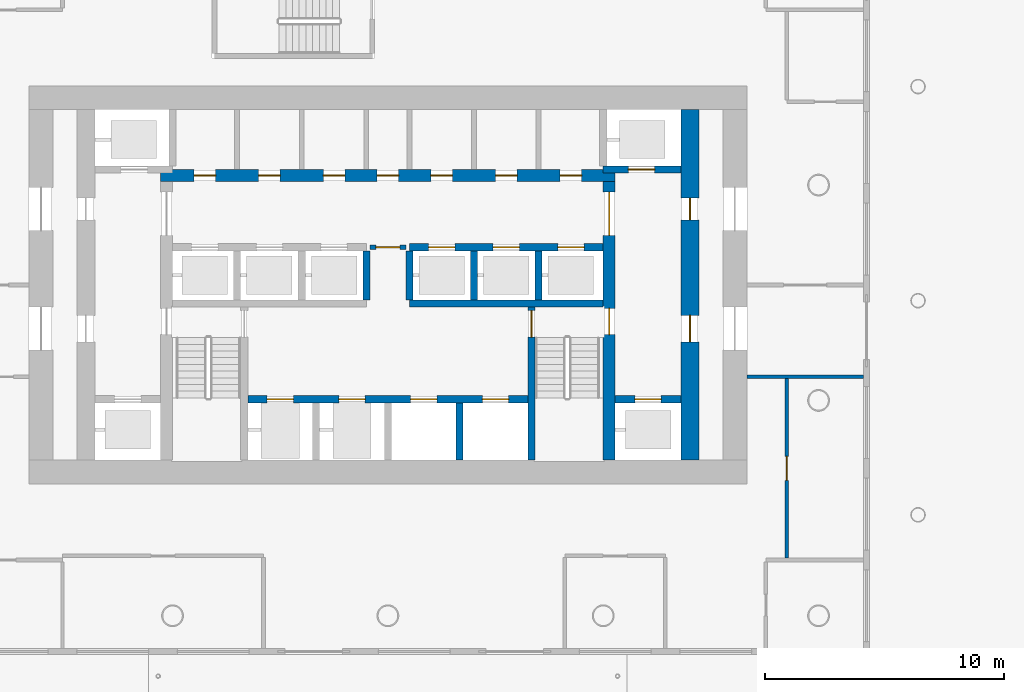
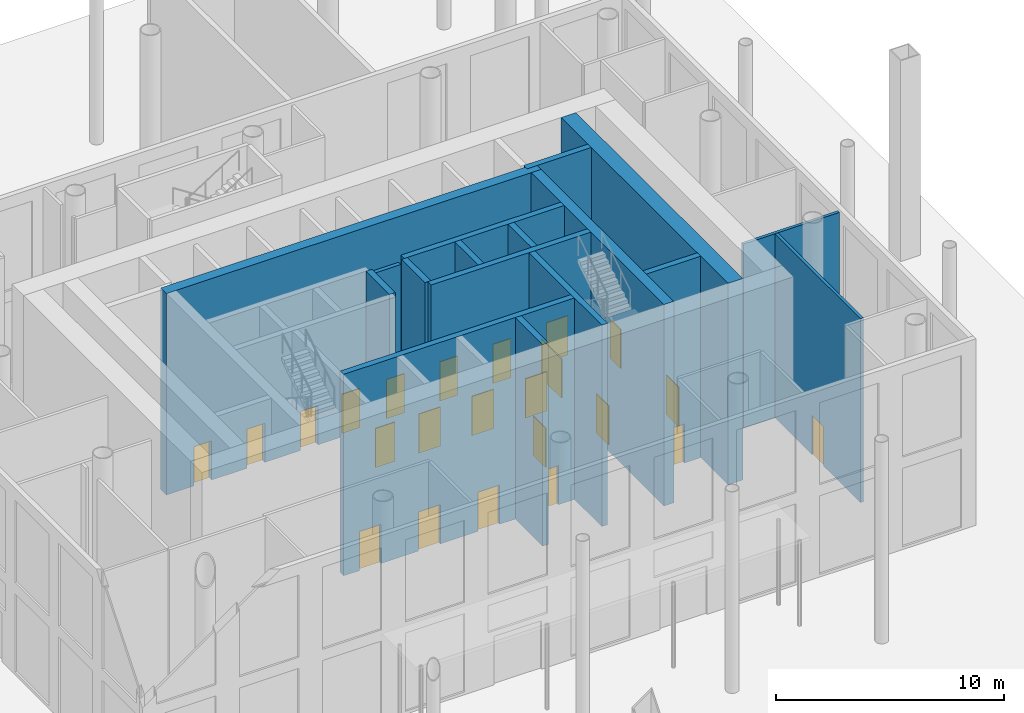
# One storey, part 11 of 18: 23 doors, 17 walls, 23 openings.
"""IFC4 building model written with IfcOpenShell, lengths in metres."""

from ifc_helpers import new_model, si_unit, direction, frame, frame_2d, origin, place, context, subcontext, project, spatial, rectangle, extrude, material, layer, layer_set, type_object, element, fill, save


model = new_model("IFC4")

# Units and contexts
model_context = context("Model", 3, precision=1e-05, world=origin(), true_north=direction((0.0, 1.0)))
body_context = subcontext(model_context, "Body", "Model", "MODEL_VIEW")
ifc_project = project(units=[si_unit("LENGTHUNIT", "METRE"), si_unit("AREAUNIT", "SQUARE_METRE"), si_unit("VOLUMEUNIT", "CUBIC_METRE"), si_unit("PLANEANGLEUNIT", "RADIAN"), si_unit("MASSUNIT", "GRAM", prefix="KILO")], contexts=[model_context])

# Site, building, storey
site_placement = place(None, origin())
site = spatial("IfcSite", under=ifc_project, at=site_placement, CompositionType="ELEMENT")
building_placement = place(site_placement, origin())
building = spatial("IfcBuilding", under=site, at=building_placement, Name="Tskaro Facet Tower", CompositionType="ELEMENT")
storey_placement = place(building_placement, origin())
storey = spatial("IfcBuildingStorey", under=building, at=storey_placement, Name="L00", CompositionType="ELEMENT", Elevation=0.0)

# Wall, openings, doors
ifc_material_1 = material(Name="Concrete C60/75", Category="concrete")
ifc_layer_1 = layer(ifc_material_1, 0.300048828125, Name="Concrete C60/75")
ifc_layer_set_1 = layer_set([ifc_layer_1], Name="Concrete C60/75")
wall_type_1 = type_object("IfcWallType", Name="CORE-SHAFT", PredefinedType="SHEAR", material=ifc_layer_set_1)
wall_1_placement = place(storey_placement, frame((-5.85009765625, -8.949951171875, 0.0), z_axis=(0.0, 0.0, 1.0), x_axis=(1.0, 0.0, 0.0)))
wall_1 = element("IfcWall", 1, at=wall_1_placement, inside=storey, type_object=wall_type_1, Name="Shaft wall W007", PredefinedType="SHEAR", context=body_context, shape_type="SweptSolid", body=[
    extrude(rectangle(XDim=11.7001953125, YDim=0.300048828125, at=frame_2d((5.85009765625, 0.0))), origin(), (0.0, 0.0, 1.0), 10.800048828125),
])
opening_1_placement = place(wall_1_placement, frame((0.800048828125, 0.0, 0.0)))
opening_1 = element("IfcOpeningElement", 2, at=opening_1_placement, cuts=wall_1, Name="Opening LD-FF1", PredefinedType="OPENING", context=body_context, shape_type="SweptSolid", body=[
    extrude(rectangle(XDim=1.10009765625, YDim=2.10009765625, at=frame_2d((0.550048828125, 1.050048828125))), frame((0.0, 0.159912109375, 0.0), z_axis=(0.0, -1.0, 0.0), x_axis=(1.0, 0.0, 0.0)), (0.0, 0.0, 1.0), 0.320068359375),
])
opening_2_placement = place(wall_1_placement, frame((3.800048828125, 0.0, 0.0)))
opening_2 = element("IfcOpeningElement", 3, at=opening_2_placement, cuts=wall_1, Name="Opening LD-FF2", PredefinedType="OPENING", context=body_context, shape_type="SweptSolid", body=[
    extrude(rectangle(XDim=1.10009765625, YDim=2.10009765625, at=frame_2d((0.550048828125, 1.050048828125))), frame((0.0, 0.159912109375, 0.0), z_axis=(0.0, -1.0, 0.0), x_axis=(1.0, 0.0, 0.0)), (0.0, 0.0, 1.0), 0.320068359375),
])
opening_3_placement = place(wall_1_placement, frame((6.800048828125, 0.0, 0.0)))
opening_3 = element("IfcOpeningElement", 4, at=opening_3_placement, cuts=wall_1, Name="Opening LD-SV1", PredefinedType="OPENING", context=body_context, shape_type="SweptSolid", body=[
    extrude(rectangle(XDim=1.10009765625, YDim=2.10009765625, at=frame_2d((0.550048828125, 1.050048828125))), frame((0.0, 0.159912109375, 0.0), z_axis=(0.0, -1.0, 0.0), x_axis=(1.0, 0.0, 0.0)), (0.0, 0.0, 1.0), 0.320068359375),
])
opening_4_placement = place(wall_1_placement, frame((9.800048828125, 0.0, 0.0)))
opening_4 = element("IfcOpeningElement", 5, at=opening_4_placement, cuts=wall_1, Name="Opening LD-SV2", PredefinedType="OPENING", context=body_context, shape_type="SweptSolid", body=[
    extrude(rectangle(XDim=1.10009765625, YDim=2.10009765625, at=frame_2d((0.550048828125, 1.050048828125))), frame((0.0, 0.159912109375, 0.0), z_axis=(0.0, -1.0, 0.0), x_axis=(1.0, 0.0, 0.0)), (0.0, 0.0, 1.0), 0.320068359375),
])
ifc_material_2 = material(Name="Stainless steel", Category="steel")
door_type_1 = type_object("IfcDoorType", Name="D-LANDING", OperationType="NOTDEFINED", PredefinedType="DOOR", material=ifc_material_2)
door_1_placement = place(opening_1_placement, origin())
door_1 = element("IfcDoor", 6, at=door_1_placement, inside=storey, type_object=door_type_1, Name="Landing door FF1", OperationType="DOUBLE_DOOR_SLIDING", OverallHeight=2.10009765625, OverallWidth=1.10009765625, PredefinedType="DOOR", context=body_context, shape_type="SweptSolid", body=[
    extrude(rectangle(XDim=1.10009765625, YDim=2.10009765625, at=frame_2d((0.550048828125, 1.050048828125))), frame((0.0, 0.02490234375, 0.0), z_axis=(0.0, -1.0, 0.0), x_axis=(1.0, 0.0, 0.0)), (0.0, 0.0, 1.0), 0.050048828125),
])
fill(opening_1, door_1)
door_2_placement = place(opening_2_placement, origin())
door_2 = element("IfcDoor", 7, at=door_2_placement, inside=storey, type_object=door_type_1, Name="Landing door FF2", OperationType="DOUBLE_DOOR_SLIDING", OverallHeight=2.10009765625, OverallWidth=1.10009765625, PredefinedType="DOOR", context=body_context, shape_type="SweptSolid", body=[
    extrude(rectangle(XDim=1.10009765625, YDim=2.10009765625, at=frame_2d((0.550048828125, 1.050048828125))), frame((0.0, 0.02490234375, 0.0), z_axis=(0.0, -1.0, 0.0), x_axis=(1.0, 0.0, 0.0)), (0.0, 0.0, 1.0), 0.050048828125),
])
fill(opening_2, door_2)
door_3_placement = place(opening_3_placement, origin())
door_3 = element("IfcDoor", 8, at=door_3_placement, inside=storey, type_object=door_type_1, Name="Landing door SV1", OperationType="DOUBLE_DOOR_SLIDING", OverallHeight=2.10009765625, OverallWidth=1.10009765625, PredefinedType="DOOR", context=body_context, shape_type="SweptSolid", body=[
    extrude(rectangle(XDim=1.10009765625, YDim=2.10009765625, at=frame_2d((0.550048828125, 1.050048828125))), frame((0.0, 0.02490234375, 0.0), z_axis=(0.0, -1.0, 0.0), x_axis=(1.0, 0.0, 0.0)), (0.0, 0.0, 1.0), 0.050048828125),
])
fill(opening_3, door_3)
door_4_placement = place(opening_4_placement, origin())
door_4 = element("IfcDoor", 9, at=door_4_placement, inside=storey, type_object=door_type_1, Name="Landing door SV2", OperationType="DOUBLE_DOOR_SLIDING", OverallHeight=2.10009765625, OverallWidth=1.10009765625, PredefinedType="DOOR", context=body_context, shape_type="SweptSolid", body=[
    extrude(rectangle(XDim=1.10009765625, YDim=2.10009765625, at=frame_2d((0.550048828125, 1.050048828125))), frame((0.0, 0.02490234375, 0.0), z_axis=(0.0, -1.0, 0.0), x_axis=(1.0, 0.0, 0.0)), (0.0, 0.0, 1.0), 0.050048828125),
])
fill(opening_4, door_4)

# Wall, opening, door
wall_2_placement = place(storey_placement, frame((9.5, -8.949951171875, 0.0), z_axis=(0.0, 0.0, 1.0), x_axis=(1.0, 0.0, 0.0)))
wall_2 = element("IfcWall", 10, at=wall_2_placement, inside=storey, type_object=wall_type_1, Name="Shaft wall W008", PredefinedType="SHEAR", context=body_context, shape_type="SweptSolid", body=[
    extrude(rectangle(XDim=2.75, YDim=0.300048828125, at=frame_2d((1.375, 0.0))), origin(), (0.0, 0.0, 1.0), 10.800048828125),
])
opening_5_placement = place(wall_2_placement, frame((0.824951171875, 0.0, 0.0)))
opening_5 = element("IfcOpeningElement", 11, at=opening_5_placement, cuts=wall_2, Name="Opening LD-SHES", PredefinedType="OPENING", context=body_context, shape_type="SweptSolid", body=[
    extrude(rectangle(XDim=1.10009765625, YDim=2.10009765625, at=frame_2d((0.550048828125, 1.050048828125))), frame((0.0, 0.159912109375, 0.0), z_axis=(0.0, -1.0, 0.0), x_axis=(1.0, 0.0, 0.0)), (0.0, 0.0, 1.0), 0.320068359375),
])
door_5_placement = place(opening_5_placement, origin())
door_5 = element("IfcDoor", 12, at=door_5_placement, inside=storey, type_object=door_type_1, Name="Landing door shuttle E1", OperationType="DOUBLE_DOOR_SLIDING", OverallHeight=2.10009765625, OverallWidth=1.10009765625, PredefinedType="DOOR", context=body_context, shape_type="SweptSolid", body=[
    extrude(rectangle(XDim=1.10009765625, YDim=2.10009765625, at=frame_2d((0.550048828125, 1.050048828125))), frame((0.0, 0.02490234375, 0.0), z_axis=(0.0, -1.0, 0.0), x_axis=(1.0, 0.0, 0.0)), (0.0, 0.0, 1.0), 0.050048828125),
])
fill(opening_5, door_5)

# Wall
wall_3_placement = place(storey_placement, frame((0.89990234375, -4.949951171875, 0.0), z_axis=(0.0, 0.0, 1.0), x_axis=(1.0, 0.0, 0.0)))
element("IfcWall", 13, at=wall_3_placement, inside=storey, type_object=wall_type_1, Name="Shaft wall W012", PredefinedType="SHEAR", context=body_context, shape_type="SweptSolid", body=[
    extrude(rectangle(XDim=8.10009765625, YDim=0.300048828125, at=frame_2d((4.050048828125, 0.0))), origin(), (0.0, 0.0, 1.0), 10.800048828125),
])

# Wall, openings, doors
wall_4_placement = place(storey_placement, frame((0.89990234375, -2.60009765625, 0.0), z_axis=(0.0, 0.0, 1.0), x_axis=(1.0, 0.0, 0.0)))
wall_4 = element("IfcWall", 14, at=wall_4_placement, inside=storey, type_object=wall_type_1, Name="Shaft wall W017", PredefinedType="SHEAR", context=body_context, shape_type="SweptSolid", body=[
    extrude(rectangle(XDim=8.10009765625, YDim=0.300048828125, at=frame_2d((4.050048828125, 0.0))), origin(), (0.0, 0.0, 1.0), 10.800048828125),
])
opening_6_placement = place(wall_4_placement, frame((0.800048828125, 0.0, 0.0)))
opening_6 = element("IfcOpeningElement", 15, at=opening_6_placement, cuts=wall_4, Name="Opening LD-LR4", PredefinedType="OPENING", context=body_context, shape_type="SweptSolid", body=[
    extrude(rectangle(XDim=1.10009765625, YDim=2.10009765625, at=frame_2d((0.550048828125, 1.050048828125))), frame((0.0, 0.159912109375, 0.0), z_axis=(0.0, -1.0, 0.0), x_axis=(1.0, 0.0, 0.0)), (0.0, 0.0, 1.0), 0.320068359375),
])
opening_7_placement = place(wall_4_placement, frame((3.5, 0.0, 0.0)))
opening_7 = element("IfcOpeningElement", 16, at=opening_7_placement, cuts=wall_4, Name="Opening LD-LR5", PredefinedType="OPENING", context=body_context, shape_type="SweptSolid", body=[
    extrude(rectangle(XDim=1.10009765625, YDim=2.10009765625, at=frame_2d((0.550048828125, 1.050048828125))), frame((0.0, 0.159912109375, 0.0), z_axis=(0.0, -1.0, 0.0), x_axis=(1.0, 0.0, 0.0)), (0.0, 0.0, 1.0), 0.320068359375),
])
opening_8_placement = place(wall_4_placement, frame((6.199951171875, 0.0, 0.0)))
opening_8 = element("IfcOpeningElement", 17, at=opening_8_placement, cuts=wall_4, Name="Opening LD-LR6", PredefinedType="OPENING", context=body_context, shape_type="SweptSolid", body=[
    extrude(rectangle(XDim=1.10009765625, YDim=2.10009765625, at=frame_2d((0.550048828125, 1.050048828125))), frame((0.0, 0.159912109375, 0.0), z_axis=(0.0, -1.0, 0.0), x_axis=(1.0, 0.0, 0.0)), (0.0, 0.0, 1.0), 0.320068359375),
])
door_6_placement = place(opening_6_placement, origin())
door_6 = element("IfcDoor", 18, at=door_6_placement, inside=storey, type_object=door_type_1, Name="Landing door LR4", OperationType="DOUBLE_DOOR_SLIDING", OverallHeight=2.10009765625, OverallWidth=1.10009765625, PredefinedType="DOOR", context=body_context, shape_type="SweptSolid", body=[
    extrude(rectangle(XDim=1.10009765625, YDim=2.10009765625, at=frame_2d((0.550048828125, 1.050048828125))), frame((0.0, 0.02490234375, 0.0), z_axis=(0.0, -1.0, 0.0), x_axis=(1.0, 0.0, 0.0)), (0.0, 0.0, 1.0), 0.050048828125),
])
fill(opening_6, door_6)
door_7_placement = place(opening_7_placement, origin())
door_7 = element("IfcDoor", 19, at=door_7_placement, inside=storey, type_object=door_type_1, Name="Landing door LR5", OperationType="DOUBLE_DOOR_SLIDING", OverallHeight=2.10009765625, OverallWidth=1.10009765625, PredefinedType="DOOR", context=body_context, shape_type="SweptSolid", body=[
    extrude(rectangle(XDim=1.10009765625, YDim=2.10009765625, at=frame_2d((0.550048828125, 1.050048828125))), frame((0.0, 0.02490234375, 0.0), z_axis=(0.0, -1.0, 0.0), x_axis=(1.0, 0.0, 0.0)), (0.0, 0.0, 1.0), 0.050048828125),
])
fill(opening_7, door_7)
door_8_placement = place(opening_8_placement, origin())
door_8 = element("IfcDoor", 20, at=door_8_placement, inside=storey, type_object=door_type_1, Name="Landing door LR6", OperationType="DOUBLE_DOOR_SLIDING", OverallHeight=2.10009765625, OverallWidth=1.10009765625, PredefinedType="DOOR", context=body_context, shape_type="SweptSolid", body=[
    extrude(rectangle(XDim=1.10009765625, YDim=2.10009765625, at=frame_2d((0.550048828125, 1.050048828125))), frame((0.0, 0.02490234375, 0.0), z_axis=(0.0, -1.0, 0.0), x_axis=(1.0, 0.0, 0.0)), (0.0, 0.0, 1.0), 0.050048828125),
])
fill(opening_8, door_8)

# Wall, opening, door
wall_5_placement = place(storey_placement, frame((12.25, 0.64990234375, 0.0), z_axis=(0.0, 0.0, 1.0), x_axis=(-1.0, 0.0, 0.0)))
wall_5 = element("IfcWall", 21, at=wall_5_placement, inside=storey, type_object=wall_type_1, Name="Shaft wall W020", PredefinedType="SHEAR", context=body_context, shape_type="SweptSolid", body=[
    extrude(rectangle(XDim=3.25, YDim=0.300048828125, at=frame_2d((1.625, 0.0))), origin(), (0.0, 0.0, 1.0), 10.800048828125),
])
opening_9_placement = place(wall_5_placement, frame((1.10009765625, 0.0, 0.0)))
opening_9 = element("IfcOpeningElement", 22, at=opening_9_placement, cuts=wall_5, Name="Opening LD-SHEN", PredefinedType="OPENING", context=body_context, shape_type="SweptSolid", body=[
    extrude(rectangle(XDim=1.10009765625, YDim=2.10009765625, at=frame_2d((0.550048828125, 1.050048828125))), frame((0.0, 0.159912109375, 0.0), z_axis=(0.0, -1.0, 0.0), x_axis=(1.0, 0.0, 0.0)), (0.0, 0.0, 1.0), 0.320068359375),
])
door_9_placement = place(opening_9_placement, origin())
door_9 = element("IfcDoor", 23, at=door_9_placement, inside=storey, type_object=door_type_1, Name="Landing door shuttle E2", OperationType="DOUBLE_DOOR_SLIDING", OverallHeight=2.10009765625, OverallWidth=1.10009765625, PredefinedType="DOOR", context=body_context, shape_type="SweptSolid", body=[
    extrude(rectangle(XDim=1.10009765625, YDim=2.10009765625, at=frame_2d((0.550048828125, 1.050048828125))), frame((0.0, 0.02490234375, 0.0), z_axis=(0.0, -1.0, 0.0), x_axis=(1.0, 0.0, 0.0)), (0.0, 0.0, 1.0), 0.050048828125),
])
fill(opening_9, door_9)

# Walls
for number, where, z_axis, x_axis, name in (
    (24, (-0.89990234375, -4.800048828125, 0.0), (0.0, 0.0, 1.0), (0.0, 1.0, 0.0), "Shaft wall W046"),
    (25, (0.89990234375, -4.800048828125, 0.0), (0.0, 0.0, 1.0), (0.0, 1.0, 0.0), "Shaft wall W050"),
):
    element("IfcWall", number, at=place(storey_placement, frame(where, z_axis=z_axis, x_axis=x_axis)), inside=storey, type_object=wall_type_1, Name=name, PredefinedType="SHEAR", context=body_context, shape_type="SweptSolid", body=[
        extrude(rectangle(XDim=2.050048828125, YDim=0.300048828125, at=frame_2d((1.02490234375, 0.0))), origin(), (0.0, 0.0, 1.0), 10.800048828125),
    ])
wall_6_placement = place(storey_placement, frame((3.0, -11.5, 0.0), z_axis=(0.0, 0.0, 1.0), x_axis=(0.0, 1.0, 0.0)))
element("IfcWall", 26, at=wall_6_placement, inside=storey, type_object=wall_type_1, Name="Shaft wall W052", PredefinedType="SHEAR", context=body_context, shape_type="SweptSolid", body=[
    extrude(rectangle(XDim=2.39990234375, YDim=0.300048828125, at=frame_2d((1.199951171875, 0.0))), origin(), (0.0, 0.0, 1.0), 10.800048828125),
])
wall_7_placement = place(storey_placement, frame((3.60009765625, -4.800048828125, 0.0), z_axis=(0.0, 0.0, 1.0), x_axis=(0.0, 1.0, 0.0)))
element("IfcWall", 27, at=wall_7_placement, inside=storey, type_object=wall_type_1, Name="Shaft wall W054", PredefinedType="SHEAR", context=body_context, shape_type="SweptSolid", body=[
    extrude(rectangle(XDim=2.050048828125, YDim=0.300048828125, at=frame_2d((1.02490234375, 0.0))), origin(), (0.0, 0.0, 1.0), 10.800048828125),
])

# Wall, opening, door
wall_8_placement = place(storey_placement, frame((6.0, -5.10009765625, 0.0), z_axis=(0.0, 0.0, 1.0), x_axis=(0.0, -1.0, 0.0)))
wall_8 = element("IfcWall", 28, at=wall_8_placement, inside=storey, type_object=wall_type_1, Name="Shaft wall W056", PredefinedType="SHEAR", context=body_context, shape_type="SweptSolid", body=[
    extrude(rectangle(XDim=6.39990234375, YDim=0.300048828125, at=frame_2d((3.199951171875, 0.0))), origin(), (0.0, 0.0, 1.0), 10.800048828125),
])
opening_10_placement = place(wall_8_placement, frame((0.14990234375, 0.0, 0.0)))
opening_10 = element("IfcOpeningElement", 29, at=opening_10_placement, cuts=wall_8, Name="Opening ST-2-D1", PredefinedType="OPENING", context=body_context, shape_type="SweptSolid", body=[
    extrude(rectangle(XDim=1.10009765625, YDim=2.10009765625, at=frame_2d((0.550048828125, 1.050048828125))), frame((0.0, 0.159912109375, 0.0), z_axis=(0.0, -1.0, 0.0), x_axis=(1.0, 0.0, 0.0)), (0.0, 0.0, 1.0), 0.320068359375),
])
ifc_material_3 = material(Name="Steel", Category="steel")
door_type_2 = type_object("IfcDoorType", Name="D-STAIR", OperationType="NOTDEFINED", PredefinedType="DOOR", material=ifc_material_3)
door_10_placement = place(opening_10_placement, origin())
door_10 = element("IfcDoor", 30, at=door_10_placement, inside=storey, type_object=door_type_2, Name="Stair door 2", OperationType="SINGLE_SWING_RIGHT", OverallHeight=2.10009765625, OverallWidth=1.10009765625, PredefinedType="DOOR", context=body_context, shape_type="SweptSolid", body=[
    extrude(rectangle(XDim=1.10009765625, YDim=2.10009765625, at=frame_2d((0.550048828125, 1.050048828125))), frame((0.0, 0.02490234375, 0.0), z_axis=(0.0, -1.0, 0.0), x_axis=(1.0, 0.0, 0.0)), (0.0, 0.0, 1.0), 0.050048828125),
])
fill(opening_10, door_10)

# Wall
wall_9_placement = place(storey_placement, frame((6.300048828125, -4.800048828125, 0.0), z_axis=(0.0, 0.0, 1.0), x_axis=(0.0, 1.0, 0.0)))
element("IfcWall", 31, at=wall_9_placement, inside=storey, type_object=wall_type_1, Name="Shaft wall W057", PredefinedType="SHEAR", context=body_context, shape_type="SweptSolid", body=[
    extrude(rectangle(XDim=2.050048828125, YDim=0.300048828125, at=frame_2d((1.02490234375, 0.0))), origin(), (0.0, 0.0, 1.0), 10.800048828125),
])

# Wall, opening, door
ifc_material_4 = material(Name="Concrete C20/25", Category="concrete")
ifc_layer_2 = layer(ifc_material_4, 0.199951171875, Name="Concrete C20/25")
ifc_layer_set_2 = layer_set([ifc_layer_2], Name="Concrete C20/25")
wall_type_2 = type_object("IfcWallType", Name="CORE-WALL", PredefinedType="SOLIDWALL", material=ifc_layer_set_2)
wall_10_placement = place(storey_placement, frame((0.75, -2.60009765625, 0.0), z_axis=(0.0, 0.0, 1.0), x_axis=(-1.0, 0.0, 0.0)))
wall_10 = element("IfcWall", 32, at=wall_10_placement, inside=storey, type_object=wall_type_2, Name="Core room wall W016", PredefinedType="SOLIDWALL", context=body_context, shape_type="SweptSolid", body=[
    extrude(rectangle(XDim=1.5, YDim=0.199951171875, at=frame_2d((0.75, 0.0))), origin(), (0.0, 0.0, 1.0), 10.5),
])
opening_11_placement = place(wall_10_placement, frame((0.25, 0.0, 0.0)))
opening_11 = element("IfcOpeningElement", 33, at=opening_11_placement, cuts=wall_10, Name="Opening FL-D1", PredefinedType="OPENING", context=body_context, shape_type="SweptSolid", body=[
    extrude(rectangle(XDim=1.0, YDim=2.10009765625, at=frame_2d((0.5, 1.050048828125))), frame((0.0, 0.10986328125, 0.0), z_axis=(0.0, -1.0, 0.0), x_axis=(1.0, 0.0, 0.0)), (0.0, 0.0, 1.0), 0.219970703125),
])
door_type_3 = type_object("IfcDoorType", Name="D-LOBBY", OperationType="NOTDEFINED", PredefinedType="DOOR", material=ifc_material_3)
door_11_placement = place(opening_11_placement, origin())
door_11 = element("IfcDoor", 34, at=door_11_placement, inside=storey, type_object=door_type_3, Name="Lobby door FL", OperationType="SINGLE_SWING_RIGHT", OverallHeight=2.10009765625, OverallWidth=1.0, PredefinedType="DOOR", context=body_context, shape_type="SweptSolid", body=[
    extrude(rectangle(XDim=1.0, YDim=2.10009765625, at=frame_2d((0.5, 1.050048828125))), frame((0.0, 0.02490234375, 0.0), z_axis=(0.0, -1.0, 0.0), x_axis=(1.0, 0.0, 0.0)), (0.0, 0.0, 1.0), 0.050048828125),
])
fill(opening_11, door_11)

# Wall, openings, doors
ifc_material_5 = material(Name="Concrete C40/50", Category="concrete")
ifc_layer_3 = layer(ifc_material_5, 0.5, Name="Concrete C40/50")
ifc_layer_set_3 = layer_set([ifc_layer_3], Name="Concrete C40/50")
wall_type_3 = type_object("IfcWallType", Name="Core wall 500", PredefinedType="SHEAR", material=ifc_layer_set_3)
wall_11_placement = place(storey_placement, frame((-9.5, 0.39990234375, 0.0), z_axis=(0.0, 0.0, 1.0), x_axis=(1.0, 0.0, 0.0)))
wall_11 = element("IfcWall", 35, at=wall_11_placement, inside=storey, type_object=wall_type_3, Name="Core wall CW-Z3N", PredefinedType="SHEAR", context=body_context, shape_type="SweptSolid", body=[
    extrude(rectangle(XDim=19.0, YDim=0.5, at=frame_2d((9.5, 0.0))), origin(), (0.0, 0.0, 1.0), 10.800048828125),
])
opening_12_placement = place(wall_11_placement, frame((1.39990234375, 0.0, 0.0)))
opening_12 = element("IfcOpeningElement", 36, at=opening_12_placement, cuts=wall_11, Name="Opening G-D14", PredefinedType="OPENING", context=body_context, shape_type="SweptSolid", body=[
    extrude(rectangle(XDim=0.89990234375, YDim=2.10009765625, at=frame_2d((0.449951171875, 1.050048828125))), frame((0.0, 0.260009765625, 0.0), z_axis=(0.0, -1.0, 0.0), x_axis=(1.0, 0.0, 0.0)), (0.0, 0.0, 1.0), 0.52001953125),
])
opening_13_placement = place(wall_11_placement, frame((4.10009765625, 0.0, 0.0)))
opening_13 = element("IfcOpeningElement", 37, at=opening_13_placement, cuts=wall_11, Name="Opening G-D15", PredefinedType="OPENING", context=body_context, shape_type="SweptSolid", body=[
    extrude(rectangle(XDim=0.89990234375, YDim=2.10009765625, at=frame_2d((0.449951171875, 1.050048828125))), frame((0.0, 0.260009765625, 0.0), z_axis=(0.0, -1.0, 0.0), x_axis=(1.0, 0.0, 0.0)), (0.0, 0.0, 1.0), 0.52001953125),
])
opening_14_placement = place(wall_11_placement, frame((6.800048828125, 0.0, 0.0)))
opening_14 = element("IfcOpeningElement", 38, at=opening_14_placement, cuts=wall_11, Name="Opening G-D16", PredefinedType="OPENING", context=body_context, shape_type="SweptSolid", body=[
    extrude(rectangle(XDim=0.89990234375, YDim=2.10009765625, at=frame_2d((0.449951171875, 1.050048828125))), frame((0.0, 0.260009765625, 0.0), z_axis=(0.0, -1.0, 0.0), x_axis=(1.0, 0.0, 0.0)), (0.0, 0.0, 1.0), 0.52001953125),
])
opening_15_placement = place(wall_11_placement, frame((11.300048828125, 0.0, 0.0)))
opening_15 = element("IfcOpeningElement", 39, at=opening_15_placement, cuts=wall_11, Name="Opening G-D18", PredefinedType="OPENING", context=body_context, shape_type="SweptSolid", body=[
    extrude(rectangle(XDim=0.89990234375, YDim=2.10009765625, at=frame_2d((0.449951171875, 1.050048828125))), frame((0.0, 0.260009765625, 0.0), z_axis=(0.0, -1.0, 0.0), x_axis=(1.0, 0.0, 0.0)), (0.0, 0.0, 1.0), 0.52001953125),
])
opening_16_placement = place(wall_11_placement, frame((14.0, 0.0, 0.0)))
opening_16 = element("IfcOpeningElement", 40, at=opening_16_placement, cuts=wall_11, Name="Opening G-D19", PredefinedType="OPENING", context=body_context, shape_type="SweptSolid", body=[
    extrude(rectangle(XDim=0.89990234375, YDim=2.10009765625, at=frame_2d((0.449951171875, 1.050048828125))), frame((0.0, 0.260009765625, 0.0), z_axis=(0.0, -1.0, 0.0), x_axis=(1.0, 0.0, 0.0)), (0.0, 0.0, 1.0), 0.52001953125),
])
opening_17_placement = place(wall_11_placement, frame((16.699951171875, 0.0, 0.0)))
opening_17 = element("IfcOpeningElement", 41, at=opening_17_placement, cuts=wall_11, Name="Opening G-D20", PredefinedType="OPENING", context=body_context, shape_type="SweptSolid", body=[
    extrude(rectangle(XDim=0.89990234375, YDim=2.10009765625, at=frame_2d((0.449951171875, 1.050048828125))), frame((0.0, 0.260009765625, 0.0), z_axis=(0.0, -1.0, 0.0), x_axis=(1.0, 0.0, 0.0)), (0.0, 0.0, 1.0), 0.52001953125),
])
opening_18_placement = place(wall_11_placement, frame((9.050048828125, 0.0, 0.0)))
opening_18 = element("IfcOpeningElement", 42, at=opening_18_placement, cuts=wall_11, Name="Opening G-D17", PredefinedType="OPENING", context=body_context, shape_type="SweptSolid", body=[
    extrude(rectangle(XDim=0.89990234375, YDim=2.10009765625, at=frame_2d((0.449951171875, 1.050048828125))), frame((0.0, 0.260009765625, 0.0), z_axis=(0.0, -1.0, 0.0), x_axis=(1.0, 0.0, 0.0)), (0.0, 0.0, 1.0), 0.52001953125),
])
door_type_4 = type_object("IfcDoorType", Name="D-RISER", OperationType="NOTDEFINED", PredefinedType="DOOR", material=ifc_material_3)
door_12_placement = place(opening_18_placement, origin())
door_12 = element("IfcDoor", 43, at=door_12_placement, inside=storey, type_object=door_type_4, Name="Door G-D17", OperationType="SINGLE_SWING_LEFT", OverallHeight=2.10009765625, OverallWidth=0.89990234375, PredefinedType="DOOR", context=body_context, shape_type="SweptSolid", body=[
    extrude(rectangle(XDim=0.89990234375, YDim=2.10009765625, at=frame_2d((0.449951171875, 1.050048828125))), frame((0.0, 0.02490234375, 0.0), z_axis=(0.0, -1.0, 0.0), x_axis=(1.0, 0.0, 0.0)), (0.0, 0.0, 1.0), 0.050048828125),
])
fill(opening_18, door_12)
ifc_material_6 = material(Name="Timber", Category="wood")
door_type_5 = type_object("IfcDoorType", Name="D-ROOM", OperationType="NOTDEFINED", PredefinedType="DOOR", material=ifc_material_6)
door_13_placement = place(opening_12_placement, origin())
door_13 = element("IfcDoor", 44, at=door_13_placement, inside=storey, type_object=door_type_5, Name="Door G-D14", OperationType="SINGLE_SWING_LEFT", OverallHeight=2.10009765625, OverallWidth=0.89990234375, PredefinedType="DOOR", context=body_context, shape_type="SweptSolid", body=[
    extrude(rectangle(XDim=0.89990234375, YDim=2.10009765625, at=frame_2d((0.449951171875, 1.050048828125))), frame((0.0, 0.02490234375, 0.0), z_axis=(0.0, -1.0, 0.0), x_axis=(1.0, 0.0, 0.0)), (0.0, 0.0, 1.0), 0.050048828125),
])
fill(opening_12, door_13)
door_14_placement = place(opening_13_placement, origin())
door_14 = element("IfcDoor", 45, at=door_14_placement, inside=storey, type_object=door_type_5, Name="Door G-D15", OperationType="SINGLE_SWING_LEFT", OverallHeight=2.10009765625, OverallWidth=0.89990234375, PredefinedType="DOOR", context=body_context, shape_type="SweptSolid", body=[
    extrude(rectangle(XDim=0.89990234375, YDim=2.10009765625, at=frame_2d((0.449951171875, 1.050048828125))), frame((0.0, 0.02490234375, 0.0), z_axis=(0.0, -1.0, 0.0), x_axis=(1.0, 0.0, 0.0)), (0.0, 0.0, 1.0), 0.050048828125),
])
fill(opening_13, door_14)
door_15_placement = place(opening_14_placement, origin())
door_15 = element("IfcDoor", 46, at=door_15_placement, inside=storey, type_object=door_type_5, Name="Door G-D16", OperationType="SINGLE_SWING_LEFT", OverallHeight=2.10009765625, OverallWidth=0.89990234375, PredefinedType="DOOR", context=body_context, shape_type="SweptSolid", body=[
    extrude(rectangle(XDim=0.89990234375, YDim=2.10009765625, at=frame_2d((0.449951171875, 1.050048828125))), frame((0.0, 0.02490234375, 0.0), z_axis=(0.0, -1.0, 0.0), x_axis=(1.0, 0.0, 0.0)), (0.0, 0.0, 1.0), 0.050048828125),
])
fill(opening_14, door_15)
door_16_placement = place(opening_15_placement, origin())
door_16 = element("IfcDoor", 47, at=door_16_placement, inside=storey, type_object=door_type_5, Name="Door G-D18", OperationType="SINGLE_SWING_LEFT", OverallHeight=2.10009765625, OverallWidth=0.89990234375, PredefinedType="DOOR", context=body_context, shape_type="SweptSolid", body=[
    extrude(rectangle(XDim=0.89990234375, YDim=2.10009765625, at=frame_2d((0.449951171875, 1.050048828125))), frame((0.0, 0.02490234375, 0.0), z_axis=(0.0, -1.0, 0.0), x_axis=(1.0, 0.0, 0.0)), (0.0, 0.0, 1.0), 0.050048828125),
])
fill(opening_15, door_16)
door_17_placement = place(opening_16_placement, origin())
door_17 = element("IfcDoor", 48, at=door_17_placement, inside=storey, type_object=door_type_5, Name="Door G-D19", OperationType="SINGLE_SWING_LEFT", OverallHeight=2.10009765625, OverallWidth=0.89990234375, PredefinedType="DOOR", context=body_context, shape_type="SweptSolid", body=[
    extrude(rectangle(XDim=0.89990234375, YDim=2.10009765625, at=frame_2d((0.449951171875, 1.050048828125))), frame((0.0, 0.02490234375, 0.0), z_axis=(0.0, -1.0, 0.0), x_axis=(1.0, 0.0, 0.0)), (0.0, 0.0, 1.0), 0.050048828125),
])
fill(opening_16, door_17)
door_18_placement = place(opening_17_placement, origin())
door_18 = element("IfcDoor", 49, at=door_18_placement, inside=storey, type_object=door_type_5, Name="Door G-D20", OperationType="SINGLE_SWING_LEFT", OverallHeight=2.10009765625, OverallWidth=0.89990234375, PredefinedType="DOOR", context=body_context, shape_type="SweptSolid", body=[
    extrude(rectangle(XDim=0.89990234375, YDim=2.10009765625, at=frame_2d((0.449951171875, 1.050048828125))), frame((0.0, 0.02490234375, 0.0), z_axis=(0.0, -1.0, 0.0), x_axis=(1.0, 0.0, 0.0)), (0.0, 0.0, 1.0), 0.050048828125),
])
fill(opening_17, door_18)

wall_12_placement = place(storey_placement, frame((9.25, -11.5, 0.0), z_axis=(0.0, 0.0, 1.0), x_axis=(0.0, 1.0, 0.0)))
wall_12 = element("IfcWall", 50, at=wall_12_placement, inside=storey, type_object=wall_type_3, Name="Core wall CW-Z3E", PredefinedType="SHEAR", context=body_context, shape_type="SweptSolid", body=[
    extrude(rectangle(XDim=11.64990234375, YDim=0.5, at=frame_2d((5.824951171875, 0.0))), origin(), (0.0, 0.0, 1.0), 10.800048828125),
])
opening_19_placement = place(wall_12_placement, frame((9.39990234375, 0.0, 0.0)))
opening_19 = element("IfcOpeningElement", 51, at=opening_19_placement, cuts=wall_12, Name="Opening G-D09", PredefinedType="OPENING", context=body_context, shape_type="SweptSolid", body=[
    extrude(rectangle(XDim=1.800048828125, YDim=2.10009765625, at=frame_2d((0.89990234375, 1.050048828125))), frame((0.0, 0.260009765625, 0.0), z_axis=(0.0, -1.0, 0.0), x_axis=(1.0, 0.0, 0.0)), (0.0, 0.0, 1.0), 0.52001953125),
])
opening_20_placement = place(wall_12_placement, frame((5.25, 0.0, 0.0)))
opening_20 = element("IfcOpeningElement", 52, at=opening_20_placement, cuts=wall_12, Name="Opening ST-2-D2", PredefinedType="OPENING", context=body_context, shape_type="SweptSolid", body=[
    extrude(rectangle(XDim=1.10009765625, YDim=2.10009765625, at=frame_2d((0.550048828125, 1.050048828125))), frame((0.0, 0.260009765625, 0.0), z_axis=(0.0, -1.0, 0.0), x_axis=(1.0, 0.0, 0.0)), (0.0, 0.0, 1.0), 0.52001953125),
])
door_type_6 = type_object("IfcDoorType", Name="D-CORE-PAIR", OperationType="NOTDEFINED", PredefinedType="DOOR", material=ifc_material_3)
door_19_placement = place(opening_19_placement, origin())
door_19 = element("IfcDoor", 53, at=door_19_placement, inside=storey, type_object=door_type_6, Name="Door G-D09", OperationType="DOUBLE_DOOR_SINGLE_SWING", OverallHeight=2.10009765625, OverallWidth=1.800048828125, PredefinedType="DOOR", context=body_context, shape_type="SweptSolid", body=[
    extrude(rectangle(XDim=1.800048828125, YDim=2.10009765625, at=frame_2d((0.89990234375, 1.050048828125))), frame((0.0, 0.02490234375, 0.0), z_axis=(0.0, -1.0, 0.0), x_axis=(1.0, 0.0, 0.0)), (0.0, 0.0, 1.0), 0.050048828125),
])
fill(opening_19, door_19)
door_20_placement = place(opening_20_placement, origin())
door_20 = element("IfcDoor", 54, at=door_20_placement, inside=storey, type_object=door_type_2, Name="Stair door 2 east", OperationType="SINGLE_SWING_LEFT", OverallHeight=2.10009765625, OverallWidth=1.10009765625, PredefinedType="DOOR", context=body_context, shape_type="SweptSolid", body=[
    extrude(rectangle(XDim=1.10009765625, YDim=2.10009765625, at=frame_2d((0.550048828125, 1.050048828125))), frame((0.0, 0.02490234375, 0.0), z_axis=(0.0, -1.0, 0.0), x_axis=(1.0, 0.0, 0.0)), (0.0, 0.0, 1.0), 0.050048828125),
])
fill(opening_20, door_20)

ifc_material_7 = material(Name="Concrete C50/60", Category="concrete")
ifc_layer_4 = layer(ifc_material_7, 0.75, Name="Concrete C50/60")
ifc_layer_set_4 = layer_set([ifc_layer_4], Name="Concrete C50/60")
wall_type_4 = type_object("IfcWallType", Name="Core wall 750", PredefinedType="SHEAR", material=ifc_layer_set_4)
wall_13_placement = place(storey_placement, frame((12.625, -11.5, 0.0), z_axis=(0.0, 0.0, 1.0), x_axis=(0.0, 1.0, 0.0)))
wall_13 = element("IfcWall", 55, at=wall_13_placement, inside=storey, type_object=wall_type_4, Name="Core wall CW-Z2E", PredefinedType="SHEAR", context=body_context, shape_type="SweptSolid", body=[
    extrude(rectangle(XDim=14.64990234375, YDim=0.75, at=frame_2d((7.324951171875, 0.0))), origin(), (0.0, 0.0, 1.0), 10.800048828125),
])
opening_21_placement = place(wall_13_placement, frame((4.949951171875, 0.0, 0.0)))
opening_21 = element("IfcOpeningElement", 56, at=opening_21_placement, cuts=wall_13, Name="Opening XL-E", PredefinedType="OPENING", context=body_context, shape_type="SweptSolid", body=[
    extrude(rectangle(XDim=1.10009765625, YDim=2.10009765625, at=frame_2d((0.550048828125, 1.050048828125))), frame((0.0, 0.385009765625, 0.0), z_axis=(0.0, -1.0, 0.0), x_axis=(1.0, 0.0, 0.0)), (0.0, 0.0, 1.0), 0.77001953125),
])
opening_22_placement = place(wall_13_placement, frame((10.050048828125, 0.0, 0.0)))
opening_22 = element("IfcOpeningElement", 57, at=opening_22_placement, cuts=wall_13, Name="Opening G-D12", PredefinedType="OPENING", context=body_context, shape_type="SweptSolid", body=[
    extrude(rectangle(XDim=0.89990234375, YDim=2.10009765625, at=frame_2d((0.449951171875, 1.050048828125))), frame((0.0, 0.385009765625, 0.0), z_axis=(0.0, -1.0, 0.0), x_axis=(1.0, 0.0, 0.0)), (0.0, 0.0, 1.0), 0.77001953125),
])
door_21_placement = place(opening_22_placement, origin())
door_21 = element("IfcDoor", 58, at=door_21_placement, inside=storey, type_object=door_type_5, Name="Door G-D12", OperationType="SINGLE_SWING_LEFT", OverallHeight=2.10009765625, OverallWidth=0.89990234375, PredefinedType="DOOR", context=body_context, shape_type="SweptSolid", body=[
    extrude(rectangle(XDim=0.89990234375, YDim=2.10009765625, at=frame_2d((0.449951171875, 1.050048828125))), frame((0.0, 0.02490234375, 0.0), z_axis=(0.0, -1.0, 0.0), x_axis=(1.0, 0.0, 0.0)), (0.0, 0.0, 1.0), 0.050048828125),
])
fill(opening_22, door_21)
door_22_placement = place(opening_21_placement, origin())
door_22 = element("IfcDoor", 59, at=door_22_placement, inside=storey, type_object=door_type_2, Name="Exit lobby door east", OperationType="SINGLE_SWING_LEFT", OverallHeight=2.10009765625, OverallWidth=1.10009765625, PredefinedType="DOOR", context=body_context, shape_type="SweptSolid", body=[
    extrude(rectangle(XDim=1.10009765625, YDim=2.10009765625, at=frame_2d((0.550048828125, 1.050048828125))), frame((0.0, 0.02490234375, 0.0), z_axis=(0.0, -1.0, 0.0), x_axis=(1.0, 0.0, 0.0)), (0.0, 0.0, 1.0), 0.050048828125),
])
fill(opening_21, door_22)

# Wall
ifc_material_8 = material(Name="Gypsum board on steel studs", Category="steel")
ifc_layer_5 = layer(ifc_material_8, 0.14990234375, Name="Gypsum board on steel studs")
ifc_layer_set_5 = layer_set([ifc_layer_5], Name="Gypsum board on steel studs")
wall_type_5 = type_object("IfcWallType", Name="PART-CORR", PredefinedType="PARTITIONING", material=ifc_layer_set_5)
wall_14_placement = place(storey_placement, frame((15.0, -8.006103515625, 0.0), z_axis=(0.0, 0.0, 1.0), x_axis=(1.0, 0.0, 0.0)))
element("IfcWall", 60, at=wall_14_placement, inside=storey, type_object=wall_type_5, Name="Corridor wall W010", PredefinedType="PARTITIONING", context=body_context, shape_type="SweptSolid", body=[
    extrude(rectangle(XDim=4.875, YDim=0.14990234375, at=frame_2d((2.4375, 0.0))), origin(), (0.0, 0.0, 1.0), 9.860107421875),
])

# Wall, opening, door
wall_15_placement = place(storey_placement, frame((16.675048828125, -8.0810546875, 0.0), z_axis=(0.0, 0.0, 1.0), x_axis=(0.0, -1.0, 0.0)))
wall_15 = element("IfcWall", 61, at=wall_15_placement, inside=storey, type_object=wall_type_5, Name="Corridor wall W064", PredefinedType="PARTITIONING", context=body_context, shape_type="SweptSolid", body=[
    extrude(rectangle(XDim=7.512939453125, YDim=0.14990234375, at=frame_2d((3.75634765625, 0.0))), origin(), (0.0, 0.0, 1.0), 9.860107421875),
])
opening_23_placement = place(wall_15_placement, frame((3.256591796875, 0.0, 0.0)))
opening_23 = element("IfcOpeningElement", 62, at=opening_23_placement, cuts=wall_15, Name="Opening G-D06", PredefinedType="OPENING", context=body_context, shape_type="SweptSolid", body=[
    extrude(rectangle(XDim=1.0, YDim=2.10009765625, at=frame_2d((0.5, 1.050048828125))), frame((0.0, 0.0849609375, 0.0), z_axis=(0.0, -1.0, 0.0), x_axis=(1.0, 0.0, 0.0)), (0.0, 0.0, 1.0), 0.169921875),
])
door_type_7 = type_object("IfcDoorType", Name="D-ENTRY", OperationType="NOTDEFINED", PredefinedType="DOOR", material=ifc_material_6)
door_23_placement = place(opening_23_placement, origin())
door_23 = element("IfcDoor", 63, at=door_23_placement, inside=storey, type_object=door_type_7, Name="Door G-D06", OperationType="SINGLE_SWING_RIGHT", OverallHeight=2.10009765625, OverallWidth=1.0, PredefinedType="DOOR", context=body_context, shape_type="SweptSolid", body=[
    extrude(rectangle(XDim=1.0, YDim=2.10009765625, at=frame_2d((0.5, 1.050048828125))), frame((0.0, 0.02490234375, 0.0), z_axis=(0.0, -1.0, 0.0), x_axis=(1.0, 0.0, 0.0)), (0.0, 0.0, 1.0), 0.050048828125),
])
fill(opening_23, door_23)

save(model, "model.ifc")
